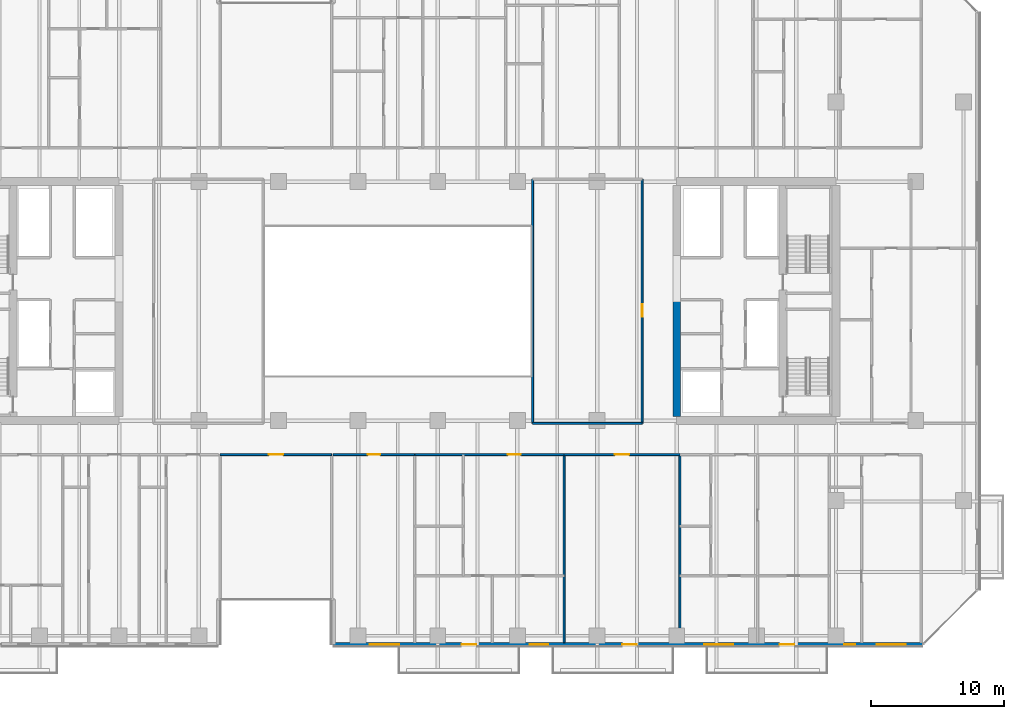
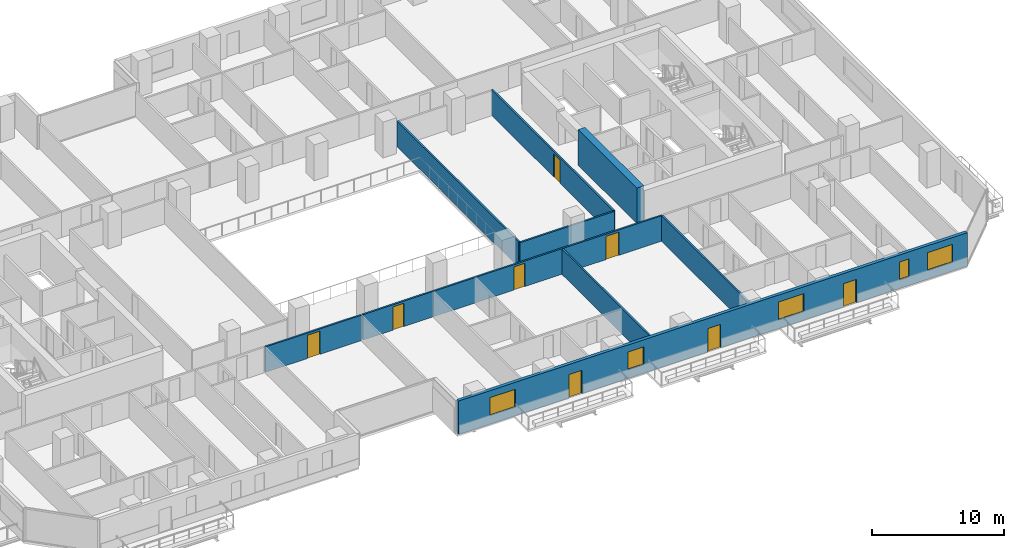
# One storey, part 19 of 33: 11 walls, 8 doors, 5 windows, 13 openings.
"""IFC4 building model written with IfcOpenShell, lengths in metres."""

from ifc_helpers import new_model, si_unit, direction, frame, frame_2d, origin, place, context, subcontext, project, spatial, rectangle, extrude, material, layer, layer_set, type_object, element, fill, save


model = new_model("IFC4")

# Units and contexts
model_context = context("Model", 3, precision=1e-05, world=origin(), true_north=direction((0.0, 1.0)))
body_context = subcontext(model_context, "Body", "Model", "MODEL_VIEW")
ifc_project = project(units=[si_unit("LENGTHUNIT", "METRE"), si_unit("AREAUNIT", "SQUARE_METRE"), si_unit("VOLUMEUNIT", "CUBIC_METRE"), si_unit("PLANEANGLEUNIT", "RADIAN"), si_unit("MASSUNIT", "GRAM", prefix="KILO")], contexts=[model_context])

# Site, building, storey
site_placement = place(None, origin())
site = spatial("IfcSite", under=ifc_project, at=site_placement, CompositionType="ELEMENT")
building_placement = place(site_placement, origin())
building = spatial("IfcBuilding", under=site, at=building_placement, Name="Tanjung Sevakor Pilgrim Tower", CompositionType="ELEMENT")
storey_placement = place(building_placement, frame((0.0, 0.0, 32.340087890625)))
storey = spatial("IfcBuildingStorey", under=building, at=storey_placement, Name="L08", CompositionType="ELEMENT", Elevation=32.340087890625)

# Walls
ifc_material_1 = material(Name="Concrete C60/75", Category="concrete")
ifc_layer_1 = layer(ifc_material_1, 0.60009765625)
ifc_layer_set_1 = layer_set([ifc_layer_1], Name="WALL-CW-600")
wall_type_1 = type_object("IfcWallType", Name="WALL-CW-600", PredefinedType="SHEAR", material=ifc_layer_set_1)
wall_1_placement = place(storey_placement, frame((78.0, 24.89990234375, 0.0), z_axis=(0.0, 0.0, 1.0), x_axis=(0.0, 1.0, 0.0)))
element("IfcWall", 1, at=wall_1_placement, inside=storey, type_object=wall_type_1, Name="L08 E Core Inner Shear Wall South", PredefinedType="SHEAR", context=body_context, shape_type="SweptSolid", body=[
    extrude(rectangle(XDim=8.900146484375, YDim=0.60009765625, at=frame_2d((4.4501953125, 0.0))), origin(), (0.0, 0.0, 1.0), 3.2998046875),
])
ifc_material_2 = material(Name="Concrete C40/50", Category="concrete")
ifc_layer_2 = layer(ifc_material_2, 0.14990234375)
ifc_layer_set_2 = layer_set([ifc_layer_2], Name="WT-COMP-150")
wall_type_2 = type_object("IfcWallType", Name="WT-COMP-150", PredefinedType="SOLIDWALL", material=ifc_layer_set_2)
wall_2_placement = place(storey_placement, frame((67.14990234375, 24.39990234375, 0.0), z_axis=(0.0, 0.0, 1.0), x_axis=(1.0, 0.0, 0.0)))
element("IfcWall", 2, at=wall_2_placement, inside=storey, type_object=wall_type_2, Name="L08 Partition IW-L08-027", PredefinedType="SOLIDWALL", context=body_context, shape_type="SweptSolid", body=[
    extrude(rectangle(XDim=8.25, YDim=0.14990234375, at=frame_2d((4.125, 0.0))), origin(), (0.0, 0.0, 1.0), 2.295166015625),
])
wall_3_placement = place(storey_placement, frame((67.14990234375, 24.39990234375, 0.0), z_axis=(0.0, 0.0, 1.0), x_axis=(0.0, 1.0, 0.0)))
element("IfcWall", 3, at=wall_3_placement, inside=storey, type_object=wall_type_2, Name="L08 Partition IW-L08-029", PredefinedType="SOLIDWALL", context=body_context, shape_type="SweptSolid", body=[
    extrude(rectangle(XDim=18.400146484375, YDim=0.14990234375, at=frame_2d((9.2001953125, 0.0))), origin(), (0.0, 0.0, 1.0), 2.35009765625),
])

# Wall, opening, door
wall_4_placement = place(storey_placement, frame((75.39990234375, 24.39990234375, 0.0), z_axis=(0.0, 0.0, 1.0), x_axis=(0.0, 1.0, 0.0)))
wall_4 = element("IfcWall", 4, at=wall_4_placement, inside=storey, type_object=wall_type_2, Name="L08 Partition IW-L08-030", PredefinedType="SOLIDWALL", context=body_context, shape_type="SweptSolid", body=[
    extrude(rectangle(XDim=18.400146484375, YDim=0.14990234375, at=frame_2d((9.2001953125, 0.0))), origin(), (0.0, 0.0, 1.0), 2.35009765625),
])
opening_1_placement = place(wall_4_placement, frame((8.02490234375, 0.0, 0.0)))
opening_1 = element("IfcOpeningElement", 5, at=opening_1_placement, cuts=wall_4, Name="Opening ID-RM1", PredefinedType="OPENING", context=body_context, shape_type="SweptSolid", body=[
    extrude(rectangle(XDim=0.949951171875, YDim=2.14990234375, at=frame_2d((0.47509765625, 1.074951171875))), frame((0.0, 0.0849609375, 0.0), z_axis=(0.0, -1.0, 0.0), x_axis=(1.0, 0.0, 0.0)), (0.0, 0.0, 1.0), 0.169921875),
])
ifc_material_3 = material(Name="Hardwood Timber", Category="wood")
door_type_1 = type_object("IfcDoorType", Name="DT-INT-950", OperationType="NOTDEFINED", PredefinedType="DOOR", material=ifc_material_3)
door_1_placement = place(opening_1_placement, origin())
door_1 = element("IfcDoor", 6, at=door_1_placement, inside=storey, type_object=door_type_1, Name="L08 Central East Room Door", OperationType="SINGLE_SWING_RIGHT", OverallHeight=2.14990234375, OverallWidth=0.949951171875, PredefinedType="DOOR", context=body_context, shape_type="SweptSolid", body=[
    extrude(rectangle(XDim=0.949951171875, YDim=2.14990234375, at=frame_2d((0.47509765625, 1.074951171875))), frame((0.0, 0.02490234375, 0.0), z_axis=(0.0, -1.0, 0.0), x_axis=(1.0, 0.0, 0.0)), (0.0, 0.0, 1.0), 0.050048828125),
])
fill(opening_1, door_1)

wall_5_placement = place(storey_placement, frame((43.60009765625, 22.050048828125, 0.0), z_axis=(0.0, 0.0, 1.0), x_axis=(1.0, 0.0, 0.0)))
wall_5 = element("IfcWall", 7, at=wall_5_placement, inside=storey, type_object=wall_type_2, Name="L08 Partition IW-L08-038", PredefinedType="SOLIDWALL", context=body_context, shape_type="SweptSolid", body=[
    extrude(rectangle(XDim=8.39990234375, YDim=0.14990234375, at=frame_2d((4.199951171875, 0.0))), origin(), (0.0, 0.0, 1.0), 2.35009765625),
])
opening_2_placement = place(wall_5_placement, frame((3.64990234375, 0.0, 0.0)))
opening_2 = element("IfcOpeningElement", 8, at=opening_2_placement, cuts=wall_5, Name="Opening ID-RM2", PredefinedType="OPENING", context=body_context, shape_type="SweptSolid", body=[
    extrude(rectangle(XDim=1.10009765625, YDim=2.14990234375, at=frame_2d((0.550048828125, 1.074951171875))), frame((0.0, 0.0849609375, 0.0), z_axis=(0.0, -1.0, 0.0), x_axis=(1.0, 0.0, 0.0)), (0.0, 0.0, 1.0), 0.169921875),
])
ifc_material_4 = material(Name="Hardwood Timber", Category="wood")
door_type_2 = type_object("IfcDoorType", Name="DT-INT-1100", OperationType="NOTDEFINED", PredefinedType="DOOR", material=ifc_material_4)
door_2_placement = place(opening_2_placement, origin())
door_2 = element("IfcDoor", 9, at=door_2_placement, inside=storey, type_object=door_type_2, Name="L08 South Cleft Observatory Door", OperationType="SINGLE_SWING_RIGHT", OverallHeight=2.14990234375, OverallWidth=1.10009765625, PredefinedType="DOOR", context=body_context, shape_type="SweptSolid", body=[
    extrude(rectangle(XDim=1.10009765625, YDim=2.14990234375, at=frame_2d((0.550048828125, 1.074951171875))), frame((0.0, 0.02490234375, 0.0), z_axis=(0.0, -1.0, 0.0), x_axis=(1.0, 0.0, 0.0)), (0.0, 0.0, 1.0), 0.050048828125),
])
fill(opening_2, door_2)

wall_6_placement = place(storey_placement, frame((52.1201171875, 22.050048828125, 0.0), z_axis=(0.0, 0.0, 1.0), x_axis=(1.0, 0.0, 0.0)))
wall_6 = element("IfcWall", 10, at=wall_6_placement, inside=storey, type_object=wall_type_2, Name="L08 Partition IW-L08-060", PredefinedType="SOLIDWALL", context=body_context, shape_type="SweptSolid", body=[
    extrude(rectangle(XDim=6.142822265625, YDim=0.14990234375, at=frame_2d((3.0712890625, 0.0))), origin(), (0.0, 0.0, 1.0), 2.35009765625),
])
opening_3_placement = place(wall_6_placement, frame((2.596435546875, 0.0, 0.0)))
opening_3 = element("IfcOpeningElement", 11, at=opening_3_placement, cuts=wall_6, Name="Opening ID-FD2", PredefinedType="OPENING", context=body_context, shape_type="SweptSolid", body=[
    extrude(rectangle(XDim=0.949951171875, YDim=2.14990234375, at=frame_2d((0.47509765625, 1.074951171875))), frame((0.0, 0.0849609375, 0.0), z_axis=(0.0, -1.0, 0.0), x_axis=(1.0, 0.0, 0.0)), (0.0, 0.0, 1.0), 0.169921875),
])
ifc_material_5 = material(Name="Fire-Rated Timber", Category="wood")
door_type_3 = type_object("IfcDoorType", Name="DT-FIRE-950", OperationType="NOTDEFINED", PredefinedType="DOOR", material=ifc_material_5)
door_3_placement = place(opening_3_placement, origin())
door_3 = element("IfcDoor", 12, at=door_3_placement, inside=storey, type_object=door_type_3, Name="Housekeeping Pantry Door", OperationType="SINGLE_SWING_LEFT", OverallHeight=2.14990234375, OverallWidth=0.949951171875, PredefinedType="DOOR", context=body_context, shape_type="SweptSolid", body=[
    extrude(rectangle(XDim=0.949951171875, YDim=2.14990234375, at=frame_2d((0.47509765625, 1.074951171875))), frame((0.0, 0.02490234375, 0.0), z_axis=(0.0, -1.0, 0.0), x_axis=(1.0, 0.0, 0.0)), (0.0, 0.0, 1.0), 0.050048828125),
])
fill(opening_3, door_3)

# Wall
wall_7_placement = place(storey_placement, frame((69.52490234375, 7.8798828125, 0.0), z_axis=(0.0, 0.0, 1.0), x_axis=(0.0, 1.0, 0.0)))
element("IfcWall", 13, at=wall_7_placement, inside=storey, type_object=wall_type_2, Name="L08 Partition IW-L08-061", PredefinedType="SOLIDWALL", context=body_context, shape_type="SweptSolid", body=[
    extrude(rectangle(XDim=14.170166015625, YDim=0.14990234375, at=frame_2d((7.0849609375, 0.0))), origin(), (0.0, 0.0, 1.0), 2.35009765625),
])

# Wall, opening, door
wall_8_placement = place(storey_placement, frame((58.262939453125, 22.050048828125, 0.0), z_axis=(0.0, 0.0, 1.0), x_axis=(1.0, 0.0, 0.0)))
wall_8 = element("IfcWall", 14, at=wall_8_placement, inside=storey, type_object=wall_type_2, Name="L08 Partition IW-L08-066", PredefinedType="SOLIDWALL", context=body_context, shape_type="SweptSolid", body=[
    extrude(rectangle(XDim=11.261962890625, YDim=0.14990234375, at=frame_2d((5.630859375, 0.0))), origin(), (0.0, 0.0, 1.0), 2.35009765625),
])
opening_4_placement = place(wall_8_placement, frame((7.0244140625, 0.0, 0.0)))
opening_4 = element("IfcOpeningElement", 15, at=opening_4_placement, cuts=wall_8, Name="Opening ID-FD2", PredefinedType="OPENING", context=body_context, shape_type="SweptSolid", body=[
    extrude(rectangle(XDim=0.949951171875, YDim=2.14990234375, at=frame_2d((0.47509765625, 1.074951171875))), frame((0.0, 0.0849609375, 0.0), z_axis=(0.0, -1.0, 0.0), x_axis=(1.0, 0.0, 0.0)), (0.0, 0.0, 1.0), 0.169921875),
])
door_4_placement = place(opening_4_placement, origin())
door_4 = element("IfcDoor", 16, at=door_4_placement, inside=storey, type_object=door_type_3, Name="Suite Entrance", OperationType="SINGLE_SWING_RIGHT", OverallHeight=2.14990234375, OverallWidth=0.949951171875, PredefinedType="DOOR", context=body_context, shape_type="SweptSolid", body=[
    extrude(rectangle(XDim=0.949951171875, YDim=2.14990234375, at=frame_2d((0.47509765625, 1.074951171875))), frame((0.0, 0.02490234375, 0.0), z_axis=(0.0, -1.0, 0.0), x_axis=(1.0, 0.0, 0.0)), (0.0, 0.0, 1.0), 0.050048828125),
])
fill(opening_4, door_4)

# Wall
wall_9_placement = place(storey_placement, frame((78.227294921875, 7.8798828125, 0.0), z_axis=(0.0, 0.0, 1.0), x_axis=(0.0, 1.0, 0.0)))
element("IfcWall", 17, at=wall_9_placement, inside=storey, type_object=wall_type_2, Name="L08 Partition IW-L08-067", PredefinedType="SOLIDWALL", context=body_context, shape_type="SweptSolid", body=[
    extrude(rectangle(XDim=14.170166015625, YDim=0.14990234375, at=frame_2d((7.0849609375, 0.0))), origin(), (0.0, 0.0, 1.0), 2.35009765625),
])

# Wall, opening, door
wall_10_placement = place(storey_placement, frame((69.52490234375, 22.050048828125, 0.0), z_axis=(0.0, 0.0, 1.0), x_axis=(1.0, 0.0, 0.0)))
wall_10 = element("IfcWall", 18, at=wall_10_placement, inside=storey, type_object=wall_type_2, Name="L08 Partition IW-L08-068", PredefinedType="SOLIDWALL", context=body_context, shape_type="SweptSolid", body=[
    extrude(rectangle(XDim=8.702392578125, YDim=0.14990234375, at=frame_2d((4.35107421875, 0.0))), origin(), (0.0, 0.0, 1.0), 2.35009765625),
])
opening_5_placement = place(wall_10_placement, frame((3.80126953125, 0.0, 0.0)))
opening_5 = element("IfcOpeningElement", 19, at=opening_5_placement, cuts=wall_10, Name="Opening ID-FD0", PredefinedType="OPENING", context=body_context, shape_type="SweptSolid", body=[
    extrude(rectangle(XDim=1.10009765625, YDim=2.14990234375, at=frame_2d((0.550048828125, 1.074951171875))), frame((0.0, 0.0849609375, 0.0), z_axis=(0.0, -1.0, 0.0), x_axis=(1.0, 0.0, 0.0)), (0.0, 0.0, 1.0), 0.169921875),
])
ifc_material_6 = material(Name="Fire-Rated Steel S355J2", Category="steel")
door_type_4 = type_object("IfcDoorType", Name="DT-FIRE-1100", OperationType="NOTDEFINED", PredefinedType="DOOR", material=ifc_material_6)
door_5_placement = place(opening_5_placement, origin())
door_5 = element("IfcDoor", 20, at=door_5_placement, inside=storey, type_object=door_type_4, Name="Communal Lounge Door", OperationType="SINGLE_SWING_LEFT", OverallHeight=2.14990234375, OverallWidth=1.10009765625, PredefinedType="DOOR", context=body_context, shape_type="SweptSolid", body=[
    extrude(rectangle(XDim=1.10009765625, YDim=2.14990234375, at=frame_2d((0.550048828125, 1.074951171875))), frame((0.0, 0.02490234375, 0.0), z_axis=(0.0, -1.0, 0.0), x_axis=(1.0, 0.0, 0.0)), (0.0, 0.0, 1.0), 0.050048828125),
])
fill(opening_5, door_5)

# Wall, openings, doors, windows
ifc_material_7 = material(Name="Precast concrete C45/55", Category="concrete")
ifc_layer_3 = layer(ifc_material_7, 0.280029296875)
ifc_layer_set_3 = layer_set([ifc_layer_3], Name="WT-EW-STN2")
wall_type_3 = type_object("IfcWallType", Name="WT-EW-STN2", PredefinedType="SOLIDWALL", material=ifc_layer_set_3)
wall_11_placement = place(storey_placement, frame((52.139892578125, 7.739990234375, 0.0), z_axis=(0.0, 0.0, 1.0), x_axis=(1.0, 0.0, 0.0)))
wall_11 = element("IfcWall", 21, at=wall_11_placement, inside=storey, type_object=wall_type_3, Name="L08 MAIN Exterior Wall 5", PredefinedType="SOLIDWALL", context=body_context, shape_type="SweptSolid", body=[
    extrude(rectangle(XDim=44.402099609375, YDim=0.280029296875, at=frame_2d((22.201171875, 0.0))), origin(), (0.0, 0.0, 1.0), 3.080078125),
])
opening_6_placement = place(wall_11_placement, frame((9.659912109375, 0.0, 0.0)))
opening_6 = element("IfcOpeningElement", 22, at=opening_6_placement, cuts=wall_11, Name="Opening ED-BAL-1100", PredefinedType="OPENING", context=body_context, shape_type="SweptSolid", body=[
    extrude(rectangle(XDim=1.10009765625, YDim=2.14990234375, at=frame_2d((0.550048828125, 1.074951171875))), frame((0.0, 0.14990234375, 0.0), z_axis=(0.0, -1.0, 0.0), x_axis=(1.0, 0.0, 0.0)), (0.0, 0.0, 1.0), 0.300048828125),
])
opening_7_placement = place(wall_11_placement, frame((21.760009765625, 0.0, 0.0)))
opening_7 = element("IfcOpeningElement", 23, at=opening_7_placement, cuts=wall_11, Name="Opening ED-BAL-1100", PredefinedType="OPENING", context=body_context, shape_type="SweptSolid", body=[
    extrude(rectangle(XDim=1.10009765625, YDim=2.14990234375, at=frame_2d((0.550048828125, 1.074951171875))), frame((0.0, 0.14990234375, 0.0), z_axis=(0.0, -1.0, 0.0), x_axis=(1.0, 0.0, 0.0)), (0.0, 0.0, 1.0), 0.300048828125),
])
opening_8_placement = place(wall_11_placement, frame((33.610107421875, 0.0, 0.0)))
opening_8 = element("IfcOpeningElement", 24, at=opening_8_placement, cuts=wall_11, Name="Opening ED-BAL-1100", PredefinedType="OPENING", context=body_context, shape_type="SweptSolid", body=[
    extrude(rectangle(XDim=1.10009765625, YDim=2.14990234375, at=frame_2d((0.550048828125, 1.074951171875))), frame((0.0, 0.14990234375, 0.0), z_axis=(0.0, -1.0, 0.0), x_axis=(1.0, 0.0, 0.0)), (0.0, 0.0, 1.0), 0.300048828125),
])
opening_9_placement = place(wall_11_placement, frame((2.75146484375, 0.0, 0.780029296875)))
opening_9 = element("IfcOpeningElement", 25, at=opening_9_placement, cuts=wall_11, Name="Opening WN-Z1-1660", PredefinedType="OPENING", context=body_context, shape_type="SweptSolid", body=[
    extrude(rectangle(XDim=2.199951171875, YDim=1.659912109375, at=frame_2d((1.10009765625, 0.830078125))), frame((0.0, 0.14990234375, 0.0), z_axis=(0.0, -1.0, 0.0), x_axis=(1.0, 0.0, 0.0)), (0.0, 0.0, 1.0), 0.300048828125),
])
opening_10_placement = place(wall_11_placement, frame((14.77197265625, 0.0, 0.780029296875)))
opening_10 = element("IfcOpeningElement", 26, at=opening_10_placement, cuts=wall_11, Name="Opening WN-END", PredefinedType="OPENING", context=body_context, shape_type="SweptSolid", body=[
    extrude(rectangle(XDim=1.39990234375, YDim=1.64990234375, at=frame_2d((0.699951171875, 0.824951171875))), frame((0.0, 0.14990234375, 0.0), z_axis=(0.0, -1.0, 0.0), x_axis=(1.0, 0.0, 0.0)), (0.0, 0.0, 1.0), 0.300048828125),
])
opening_11_placement = place(wall_11_placement, frame((27.92529296875, 0.0, 0.780029296875)))
opening_11 = element("IfcOpeningElement", 27, at=opening_11_placement, cuts=wall_11, Name="Opening WN-Z1-1660", PredefinedType="OPENING", context=body_context, shape_type="SweptSolid", body=[
    extrude(rectangle(XDim=2.199951171875, YDim=1.659912109375, at=frame_2d((1.10009765625, 0.830078125))), frame((0.0, 0.14990234375, 0.0), z_axis=(0.0, -1.0, 0.0), x_axis=(1.0, 0.0, 0.0)), (0.0, 0.0, 1.0), 0.300048828125),
])
opening_12_placement = place(wall_11_placement, frame((38.4697265625, 0.0, 0.780029296875)))
opening_12 = element("IfcOpeningElement", 28, at=opening_12_placement, cuts=wall_11, Name="Opening WN-SLM", PredefinedType="OPENING", context=body_context, shape_type="SweptSolid", body=[
    extrude(rectangle(XDim=0.85009765625, YDim=1.64990234375, at=frame_2d((0.425048828125, 0.824951171875))), frame((0.0, 0.14990234375, 0.0), z_axis=(0.0, -1.0, 0.0), x_axis=(1.0, 0.0, 0.0)), (0.0, 0.0, 1.0), 0.300048828125),
])
opening_13_placement = place(wall_11_placement, frame((40.909912109375, 0.0, 0.780029296875)))
opening_13 = element("IfcOpeningElement", 29, at=opening_13_placement, cuts=wall_11, Name="Opening WN-Z1-1660", PredefinedType="OPENING", context=body_context, shape_type="SweptSolid", body=[
    extrude(rectangle(XDim=2.199951171875, YDim=1.659912109375, at=frame_2d((1.10009765625, 0.830078125))), frame((0.0, 0.14990234375, 0.0), z_axis=(0.0, -1.0, 0.0), x_axis=(1.0, 0.0, 0.0)), (0.0, 0.0, 1.0), 0.300048828125),
])
ifc_material_8 = material(Name="Anodised Aluminium and Laminated Glass", Category="aluminium")
door_type_5 = type_object("IfcDoorType", Name="DTYP-ED-BAL-1100", OperationType="NOTDEFINED", PredefinedType="DOOR", material=ifc_material_8)
door_6_placement = place(opening_6_placement, frame((1.10009765625, 0.0, 0.0), z_axis=(0.0, 0.0, 1.0), x_axis=(-1.0, 0.0, 0.0)))
door_6 = element("IfcDoor", 30, at=door_6_placement, inside=storey, type_object=door_type_5, Name="L08 Balcony Door MAIN-S2", OperationType="SINGLE_SWING_LEFT", OverallHeight=2.14990234375, OverallWidth=1.10009765625, PredefinedType="DOOR", context=body_context, shape_type="SweptSolid", body=[
    extrude(rectangle(XDim=1.10009765625, YDim=2.14990234375, at=frame_2d((0.550048828125, 1.074951171875))), frame((0.0, 0.02490234375, 0.0), z_axis=(0.0, -1.0, 0.0), x_axis=(1.0, 0.0, 0.0)), (0.0, 0.0, 1.0), 0.050048828125),
])
fill(opening_6, door_6)
door_7_placement = place(opening_7_placement, frame((1.10009765625, 0.0, 0.0), z_axis=(0.0, 0.0, 1.0), x_axis=(-1.0, 0.0, 0.0)))
door_7 = element("IfcDoor", 31, at=door_7_placement, inside=storey, type_object=door_type_5, Name="L08 Balcony Door MAIN-S3", OperationType="SINGLE_SWING_RIGHT", OverallHeight=2.14990234375, OverallWidth=1.10009765625, PredefinedType="DOOR", context=body_context, shape_type="SweptSolid", body=[
    extrude(rectangle(XDim=1.10009765625, YDim=2.14990234375, at=frame_2d((0.550048828125, 1.074951171875))), frame((0.0, 0.02490234375, 0.0), z_axis=(0.0, -1.0, 0.0), x_axis=(1.0, 0.0, 0.0)), (0.0, 0.0, 1.0), 0.050048828125),
])
fill(opening_7, door_7)
door_8_placement = place(opening_8_placement, frame((1.10009765625, 0.0, 0.0), z_axis=(0.0, 0.0, 1.0), x_axis=(-1.0, 0.0, 0.0)))
door_8 = element("IfcDoor", 32, at=door_8_placement, inside=storey, type_object=door_type_5, Name="L08 Balcony Door MAIN-S4", OperationType="SINGLE_SWING_LEFT", OverallHeight=2.14990234375, OverallWidth=1.10009765625, PredefinedType="DOOR", context=body_context, shape_type="SweptSolid", body=[
    extrude(rectangle(XDim=1.10009765625, YDim=2.14990234375, at=frame_2d((0.550048828125, 1.074951171875))), frame((0.0, 0.02490234375, 0.0), z_axis=(0.0, -1.0, 0.0), x_axis=(1.0, 0.0, 0.0)), (0.0, 0.0, 1.0), 0.050048828125),
])
fill(opening_8, door_8)
ifc_material_9 = material(Name="Thermally Broken Aluminium and Low-E Glass", Category="aluminium")
window_type_1 = type_object("IfcWindowType", Name="WTYP-WN-END", PartitioningType="SINGLE_PANEL", PredefinedType="WINDOW", material=ifc_material_9)
window_1_placement = place(opening_10_placement, origin())
window_1 = element("IfcWindow", 33, at=window_1_placement, inside=storey, type_object=window_type_1, Name="L08 Facade Window 02", OverallHeight=1.64990234375, OverallWidth=1.39990234375, PartitioningType="SINGLE_PANEL", PredefinedType="WINDOW", context=body_context, shape_type="SweptSolid", body=[
    extrude(rectangle(XDim=1.39990234375, YDim=1.64990234375, at=frame_2d((0.699951171875, 0.824951171875))), frame((0.0, 0.030029296875, 0.0), z_axis=(0.0, -1.0, 0.0), x_axis=(1.0, 0.0, 0.0)), (0.0, 0.0, 1.0), 0.06005859375),
])
fill(opening_10, window_1)
ifc_material_10 = material(Name="Thermally Broken Aluminium and Low-E Glass", Category="aluminium")
window_type_2 = type_object("IfcWindowType", Name="WTYP-WN-SLM", PartitioningType="SINGLE_PANEL", PredefinedType="WINDOW", material=ifc_material_10)
window_2_placement = place(opening_12_placement, origin())
window_2 = element("IfcWindow", 34, at=window_2_placement, inside=storey, type_object=window_type_2, Name="L08 Facade Window 04", OverallHeight=1.64990234375, OverallWidth=0.85009765625, PartitioningType="SINGLE_PANEL", PredefinedType="WINDOW", context=body_context, shape_type="SweptSolid", body=[
    extrude(rectangle(XDim=0.85009765625, YDim=1.64990234375, at=frame_2d((0.425048828125, 0.824951171875))), frame((0.0, 0.030029296875, 0.0), z_axis=(0.0, -1.0, 0.0), x_axis=(1.0, 0.0, 0.0)), (0.0, 0.0, 1.0), 0.06005859375),
])
fill(opening_12, window_2)
ifc_material_11 = material(Name="Thermally Broken Aluminium and Low-E Glass", Category="aluminium")
window_type_3 = type_object("IfcWindowType", Name="WTYP-WN-Z1-1660", PartitioningType="DOUBLE_PANEL_VERTICAL", PredefinedType="WINDOW", material=ifc_material_11)
window_3_placement = place(opening_9_placement, origin())
window_3 = element("IfcWindow", 35, at=window_3_placement, inside=storey, type_object=window_type_3, Name="L08 Facade Window 01", OverallHeight=1.659912109375, OverallWidth=2.199951171875, PartitioningType="SINGLE_PANEL", PredefinedType="WINDOW", context=body_context, shape_type="SweptSolid", body=[
    extrude(rectangle(XDim=2.199951171875, YDim=1.659912109375, at=frame_2d((1.10009765625, 0.830078125))), frame((0.0, 0.030029296875, 0.0), z_axis=(0.0, -1.0, 0.0), x_axis=(1.0, 0.0, 0.0)), (0.0, 0.0, 1.0), 0.06005859375),
])
fill(opening_9, window_3)
window_4_placement = place(opening_11_placement, origin())
window_4 = element("IfcWindow", 36, at=window_4_placement, inside=storey, type_object=window_type_3, Name="L08 Facade Window 03", OverallHeight=1.659912109375, OverallWidth=2.199951171875, PartitioningType="SINGLE_PANEL", PredefinedType="WINDOW", context=body_context, shape_type="SweptSolid", body=[
    extrude(rectangle(XDim=2.199951171875, YDim=1.659912109375, at=frame_2d((1.10009765625, 0.830078125))), frame((0.0, 0.030029296875, 0.0), z_axis=(0.0, -1.0, 0.0), x_axis=(1.0, 0.0, 0.0)), (0.0, 0.0, 1.0), 0.06005859375),
])
fill(opening_11, window_4)
window_5_placement = place(opening_13_placement, origin())
window_5 = element("IfcWindow", 37, at=window_5_placement, inside=storey, type_object=window_type_3, Name="L08 Facade Window 05", OverallHeight=1.659912109375, OverallWidth=2.199951171875, PartitioningType="SINGLE_PANEL", PredefinedType="WINDOW", context=body_context, shape_type="SweptSolid", body=[
    extrude(rectangle(XDim=2.199951171875, YDim=1.659912109375, at=frame_2d((1.10009765625, 0.830078125))), frame((0.0, 0.030029296875, 0.0), z_axis=(0.0, -1.0, 0.0), x_axis=(1.0, 0.0, 0.0)), (0.0, 0.0, 1.0), 0.06005859375),
])
fill(opening_13, window_5)

save(model, "model.ifc")
